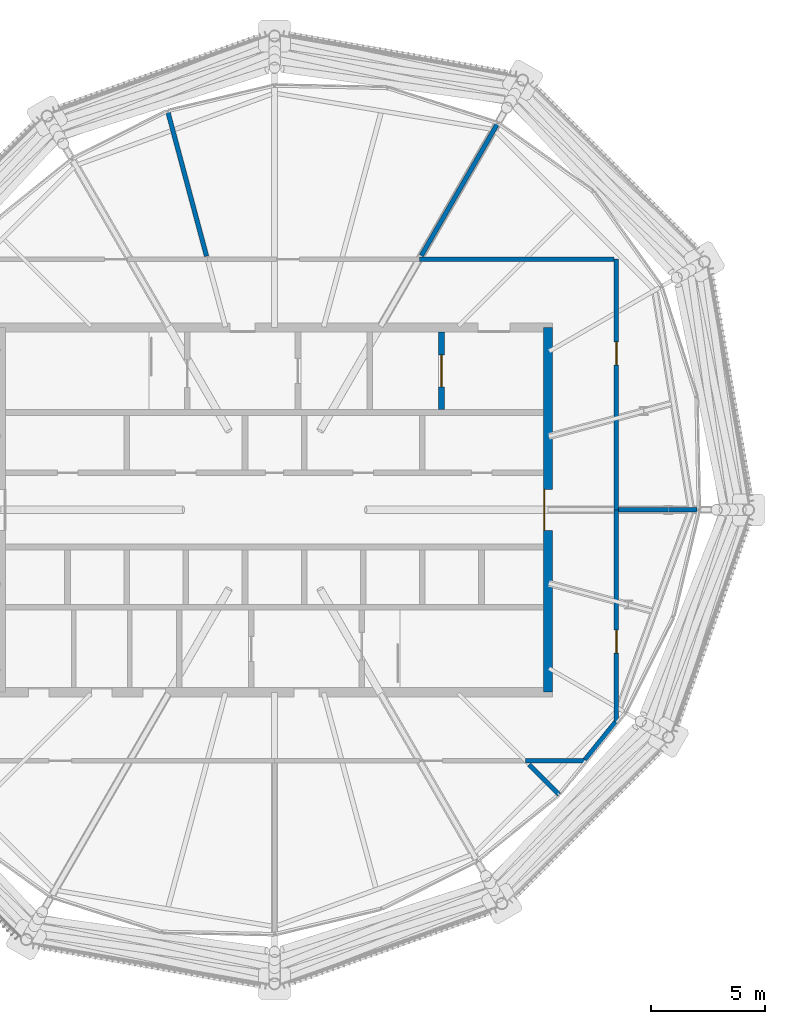
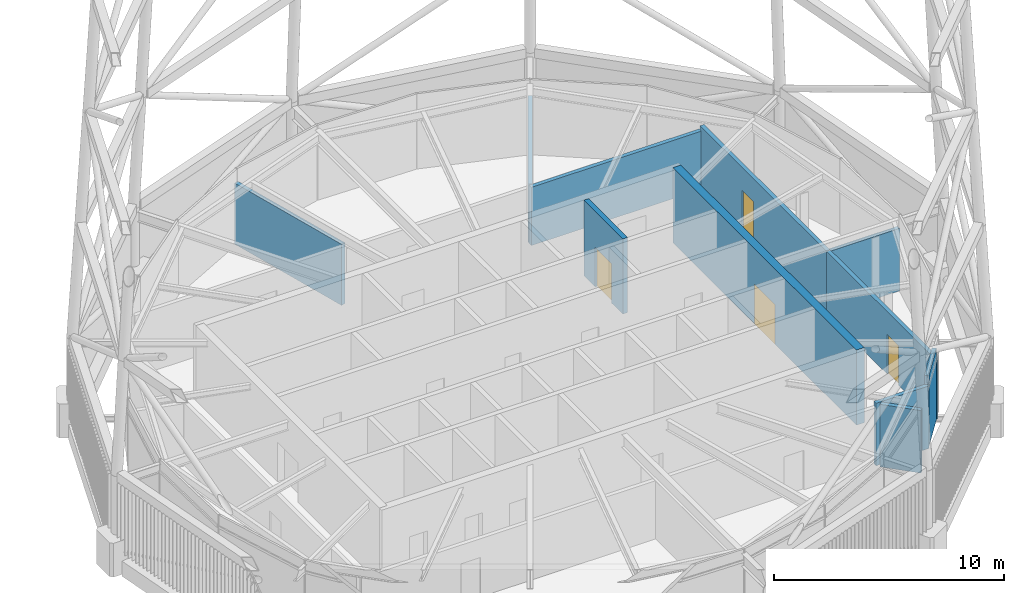
# One storey, part 66 of 71: 11 walls, 4 doors, 4 openings.
"""IFC4 building model written with IfcOpenShell, lengths in metres."""

from ifc_helpers import new_model, si_unit, direction, frame, frame_2d, origin, place, context, subcontext, project, spatial, rectangle, extrude, material, layer, layer_set, type_object, element, fill, save


model = new_model("IFC4")

# Units and contexts
model_context = context("Model", 3, precision=1e-05, world=origin(), true_north=direction((0.0, 1.0)))
body_context = subcontext(model_context, "Body", "Model", "MODEL_VIEW")
ifc_project = project(units=[si_unit("LENGTHUNIT", "METRE"), si_unit("AREAUNIT", "SQUARE_METRE"), si_unit("VOLUMEUNIT", "CUBIC_METRE"), si_unit("PLANEANGLEUNIT", "RADIAN"), si_unit("MASSUNIT", "GRAM", prefix="KILO")], contexts=[model_context])

# Site, building, storey
site_placement = place(None, origin())
site = spatial("IfcSite", under=ifc_project, at=site_placement, CompositionType="ELEMENT")
building_placement = place(site_placement, origin())
building = spatial("IfcBuilding", under=site, at=building_placement, Name="Rimbun Link Towers", CompositionType="ELEMENT")
storey_placement = place(building_placement, frame((0.0, 0.0, 267.60009765625)))
storey = spatial("IfcBuildingStorey", under=building, at=storey_placement, Name="L65", CompositionType="ELEMENT", Elevation=267.60009765625)

# Wall, opening, door
ifc_material_1 = material(Name="Concrete C60/75", Category="concrete")
ifc_layer_1 = layer(ifc_material_1, 0.39990234375)
ifc_layer_set_1 = layer_set([ifc_layer_1], Name="Core shear wall 400")
wall_type_1 = type_object("IfcWallType", Name="Core shear wall 400", PredefinedType="SHEAR", material=ifc_layer_set_1)
wall_1_placement = place(storey_placement, frame((43.75, -8.0, 0.0), z_axis=(0.0, 0.0, 1.0), x_axis=(0.0, 1.0, 0.0)))
wall_1 = element("IfcWall", 1, at=wall_1_placement, inside=storey, type_object=wall_type_1, Name="L65 T2 core wall E", PredefinedType="SHEAR", context=body_context, shape_type="SweptSolid", body=[
    extrude(rectangle(XDim=16.0, YDim=0.39990234375, at=frame_2d((8.0, 0.0))), origin(), (0.0, 0.0, 1.0), 4.0),
])
opening_1_placement = place(wall_1_placement, frame((7.10009765625, 0.0, 0.0)))
opening_1 = element("IfcOpeningElement", 2, at=opening_1_placement, cuts=wall_1, Name="Opening C2DCL01E", PredefinedType="OPENING", context=body_context, shape_type="SweptSolid", body=[
    extrude(rectangle(XDim=1.800048828125, YDim=2.10009765625, at=frame_2d((0.89990234375, 1.050048828125))), frame((0.0, 0.2099609375, 0.0), z_axis=(0.0, -1.0, 0.0), x_axis=(1.0, 0.0, 0.0)), (0.0, 0.0, 1.0), 0.419921875),
])
ifc_material_2 = material(Name="Steel fire door set", Category="steel")
door_type_1 = type_object("IfcDoorType", Name="Core lobby door double", OperationType="DOUBLE_DOOR_SINGLE_SWING", PredefinedType="DOOR", material=ifc_material_2)
door_1_placement = place(opening_1_placement, origin())
door_1 = element("IfcDoor", 3, at=door_1_placement, inside=storey, type_object=door_type_1, Name="L65 T2 lift lobby door", OperationType="DOUBLE_DOOR_SINGLE_SWING", OverallHeight=2.10009765625, OverallWidth=1.800048828125, PredefinedType="DOOR", context=body_context, shape_type="SweptSolid", body=[
    extrude(rectangle(XDim=1.800048828125, YDim=2.10009765625, at=frame_2d((0.89990234375, 1.050048828125))), frame((0.0, 0.2001953125, 0.0), z_axis=(0.0, -1.0, 0.0), x_axis=(1.0, 0.0, 0.0)), (0.0, 0.0, 1.0), 0.050048828125),
])
fill(opening_1, door_1)

# Wall
ifc_material_3 = material(Name="Concrete blockwork", Category="masonry")
ifc_layer_2 = layer(ifc_material_3, 0.199951171875)
ifc_layer_set_2 = layer_set([ifc_layer_2], Name="Fire partition 200 blockwork")
wall_type_2 = type_object("IfcWallType", Name="Fire partition 200 blockwork", PredefinedType="PARTITIONING", material=ifc_layer_set_2)
wall_2_placement = place(storey_placement, frame((42.75, -11.0, 0.0), z_axis=(0.0, 0.0, 1.0), x_axis=(1.0, 0.0, 0.0)))
element("IfcWall", 4, at=wall_2_placement, inside=storey, type_object=wall_type_2, Name="TW/PW/L65/022", PredefinedType="PARTITIONING", context=body_context, shape_type="SweptSolid", body=[
    extrude(rectangle(XDim=2.6630859375, YDim=0.199951171875, at=frame_2d((1.33154296875, 0.0))), origin(), (0.0, 0.0, 1.0), 3.326904296875),
])

# Wall, opening, door
wall_3_placement = place(storey_placement, frame((46.75, -9.32958984375, 0.0), z_axis=(0.0, 0.0, 1.0), x_axis=(0.0, 1.0, 0.0)))
wall_3 = element("IfcWall", 5, at=wall_3_placement, inside=storey, type_object=wall_type_2, Name="TW/PW/L65/023", PredefinedType="PARTITIONING", context=body_context, shape_type="SweptSolid", body=[
    extrude(rectangle(XDim=9.32958984375, YDim=0.199951171875, at=frame_2d((4.664794921875, 0.0))), origin(), (0.0, 0.0, 1.0), 3.326904296875),
])
opening_2_placement = place(wall_3_placement, frame((3.050048828125, 0.0, 0.0)))
opening_2 = element("IfcOpeningElement", 6, at=opening_2_placement, cuts=wall_3, Name="Opening TW D65.10", PredefinedType="OPENING", context=body_context, shape_type="SweptSolid", body=[
    extrude(rectangle(XDim=1.0, YDim=2.10009765625, at=frame_2d((0.5, 1.050048828125))), frame((0.0, 0.10986328125, 0.0), z_axis=(0.0, -1.0, 0.0), x_axis=(1.0, 0.0, 0.0)), (0.0, 0.0, 1.0), 0.219970703125),
])
ifc_material_4 = material(Name="Steel fire door set", Category="steel")
door_type_2 = type_object("IfcDoorType", Name="Fire door single leaf 1000 x 2100", OperationType="NOTDEFINED", PredefinedType="DOOR", material=ifc_material_4)
door_2_placement = place(opening_2_placement, origin())
door_2 = element("IfcDoor", 7, at=door_2_placement, inside=storey, type_object=door_type_2, Name="TW/DR/L65/010", OperationType="SINGLE_SWING_LEFT", OverallHeight=2.10009765625, OverallWidth=1.0, PredefinedType="DOOR", context=body_context, shape_type="SweptSolid", body=[
    extrude(rectangle(XDim=1.0, YDim=2.10009765625, at=frame_2d((0.5, 1.050048828125))), frame((0.0, 0.02490234375, 0.0), z_axis=(0.0, -1.0, 0.0), x_axis=(1.0, 0.0, 0.0)), (0.0, 0.0, 1.0), 0.050048828125),
])
fill(opening_2, door_2)

# Wall
wall_4_placement = place(storey_placement, frame((46.707763671875, -9.302001953125, 0.0), z_axis=(0.0, 0.0, 1.0), x_axis=(-0.629188361305, -0.777252858469, 0.0)))
element("IfcWall", 8, at=wall_4_placement, inside=storey, type_object=wall_type_2, Name="TW/PW/L65/024", PredefinedType="PARTITIONING", context=body_context, shape_type="SweptSolid", body=[
    extrude(rectangle(XDim=2.13525390625, YDim=0.199951171875, at=frame_2d((1.067626953125, 0.0))), origin(), (0.0, 0.0, 1.0), 3.7998046875),
])

# Wall, opening, door
wall_5_placement = place(storey_placement, frame((46.75, 0.0, 0.0), z_axis=(0.0, 0.0, 1.0), x_axis=(0.0, 1.0, 0.0)))
wall_5 = element("IfcWall", 9, at=wall_5_placement, inside=storey, type_object=wall_type_2, Name="TW/PW/L65/025", PredefinedType="PARTITIONING", context=body_context, shape_type="SweptSolid", body=[
    extrude(rectangle(XDim=11.0, YDim=0.199951171875, at=frame_2d((5.5, 0.0))), origin(), (0.0, 0.0, 1.0), 3.326904296875),
])
opening_3_placement = place(wall_5_placement, frame((6.364990234375, 0.0, 0.0)))
opening_3 = element("IfcOpeningElement", 10, at=opening_3_placement, cuts=wall_5, Name="Opening TW D65.11", PredefinedType="OPENING", context=body_context, shape_type="SweptSolid", body=[
    extrude(rectangle(XDim=1.0, YDim=2.10009765625, at=frame_2d((0.5, 1.050048828125))), frame((0.0, 0.10986328125, 0.0), z_axis=(0.0, -1.0, 0.0), x_axis=(1.0, 0.0, 0.0)), (0.0, 0.0, 1.0), 0.219970703125),
])
door_3_placement = place(opening_3_placement, origin())
door_3 = element("IfcDoor", 11, at=door_3_placement, inside=storey, type_object=door_type_2, Name="TW/DR/L65/011", OperationType="SINGLE_SWING_RIGHT", OverallHeight=2.10009765625, OverallWidth=1.0, PredefinedType="DOOR", context=body_context, shape_type="SweptSolid", body=[
    extrude(rectangle(XDim=1.0, YDim=2.10009765625, at=frame_2d((0.5, 1.050048828125))), frame((0.0, 0.02490234375, 0.0), z_axis=(0.0, -1.0, 0.0), x_axis=(1.0, 0.0, 0.0)), (0.0, 0.0, 1.0), 0.050048828125),
])
fill(opening_3, door_3)

# Walls
wall_6_placement = place(storey_placement, frame((46.64990234375, 11.0, 0.0), z_axis=(0.0, 0.0, 1.0), x_axis=(-1.0, 0.0, 0.0)))
element("IfcWall", 12, at=wall_6_placement, inside=storey, type_object=wall_type_2, Name="TW/PW/L65/026", PredefinedType="PARTITIONING", context=body_context, shape_type="SweptSolid", body=[
    extrude(rectangle(XDim=8.549072265625, YDim=0.199951171875, at=frame_2d((4.2744140625, 0.0))), origin(), (0.0, 0.0, 1.0), 3.096923828125),
])
wall_7_placement = place(storey_placement, frame((44.234130859375, -12.484130859375, 0.0), z_axis=(0.0, 0.0, 1.0), x_axis=(-0.707106781187, 0.707106781187, 0.0)))
element("IfcWall", 13, at=wall_7_placement, inside=storey, type_object=wall_type_2, Name="TW/PW/L65/033", PredefinedType="PARTITIONING", context=body_context, shape_type="SweptSolid", body=[
    extrude(rectangle(XDim=1.857421875, YDim=0.199951171875, at=frame_2d((0.9287109375, 0.0))), origin(), (0.0, 0.0, 1.0), 3.326904296875),
])
wall_8_placement = place(storey_placement, frame((50.29052734375, 0.0, 0.0), z_axis=(0.0, 0.0, 1.0), x_axis=(-1.0, 0.0, 0.0)))
element("IfcWall", 14, at=wall_8_placement, inside=storey, type_object=wall_type_2, Name="TW/PW/L65/034", PredefinedType="PARTITIONING", context=body_context, shape_type="SweptSolid", body=[
    extrude(rectangle(XDim=3.4404296875, YDim=0.199951171875, at=frame_2d((1.72021484375, 0.0))), origin(), (0.0, 0.0, 1.0), 3.326904296875),
])
wall_9_placement = place(storey_placement, frame((41.54931640625, 16.97314453125, 0.0), z_axis=(0.0, 0.0, 1.0), x_axis=(-0.499973894907, -0.866040475042, 0.0)))
element("IfcWall", 15, at=wall_9_placement, inside=storey, type_object=wall_type_2, Name="TW/PW/L65/035", PredefinedType="PARTITIONING", context=body_context, shape_type="SweptSolid", body=[
    extrude(rectangle(XDim=6.723876953125, YDim=0.199951171875, at=frame_2d((3.36181640625, 0.0))), origin(), (0.0, 0.0, 1.0), 3.096923828125),
])
wall_10_placement = place(storey_placement, frame((27.060546875, 17.501220703125, 0.0), z_axis=(0.0, 0.0, 1.0), x_axis=(0.258820520092, -0.965925431066, 0.0)))
element("IfcWall", 16, at=wall_10_placement, inside=storey, type_object=wall_type_2, Name="TW/PW/L65/036", PredefinedType="PARTITIONING", context=body_context, shape_type="SweptSolid", body=[
    extrude(rectangle(XDim=6.60009765625, YDim=0.199951171875, at=frame_2d((3.300048828125, 0.0))), origin(), (0.0, 0.0, 1.0), 3.246826171875),
])

# Wall, opening, door
ifc_material_5 = material(Name="Concrete C60/75", Category="concrete")
ifc_layer_3 = layer(ifc_material_5, 0.25)
ifc_layer_set_3 = layer_set([ifc_layer_3], Name="Shaft wall 250")
wall_type_3 = type_object("IfcWallType", Name="Shaft wall 250", PredefinedType="SHEAR", material=ifc_layer_set_3)
wall_11_placement = place(storey_placement, frame((39.074951171875, 4.39990234375, 0.0), z_axis=(0.0, 0.0, 1.0), x_axis=(0.0, 1.0, 0.0)))
wall_11 = element("IfcWall", 17, at=wall_11_placement, inside=storey, type_object=wall_type_3, Name="L65 T2 core wall A4", PredefinedType="SHEAR", context=body_context, shape_type="SweptSolid", body=[
    extrude(rectangle(XDim=3.400146484375, YDim=0.25, at=frame_2d((1.7001953125, 0.0))), origin(), (0.0, 0.0, 1.0), 4.0),
])
opening_4_placement = place(wall_11_placement, frame((1.0, 0.0, 0.0)))
opening_4 = element("IfcOpeningElement", 18, at=opening_4_placement, cuts=wall_11, Name="Opening LD-T2-GL1", PredefinedType="OPENING", context=body_context, shape_type="SweptSolid", body=[
    extrude(rectangle(XDim=1.39990234375, YDim=2.10009765625, at=frame_2d((0.699951171875, 1.050048828125))), frame((0.0, 0.135009765625, 0.0), z_axis=(0.0, -1.0, 0.0), x_axis=(1.0, 0.0, 0.0)), (0.0, 0.0, 1.0), 0.27001953125),
])
ifc_material_6 = material(Name="Stainless steel grade 316", Category="steel")
door_type_3 = type_object("IfcDoorType", Name="Goods lift landing door", OperationType="DOUBLE_DOOR_SLIDING", PredefinedType="DOOR", material=ifc_material_6)
door_4_placement = place(opening_4_placement, origin())
door_4 = element("IfcDoor", 19, at=door_4_placement, inside=storey, type_object=door_type_3, Name="L65 T2 lift GL1 landing door", OperationType="DOUBLE_DOOR_SLIDING", OverallHeight=2.10009765625, OverallWidth=1.39990234375, PredefinedType="DOOR", context=body_context, shape_type="SweptSolid", body=[
    extrude(rectangle(XDim=1.39990234375, YDim=2.10009765625, at=frame_2d((0.699951171875, 1.050048828125))), frame((0.0, 0.02490234375, 0.0), z_axis=(0.0, -1.0, 0.0), x_axis=(1.0, 0.0, 0.0)), (0.0, 0.0, 1.0), 0.050048828125),
])
fill(opening_4, door_4)

save(model, "model.ifc")
